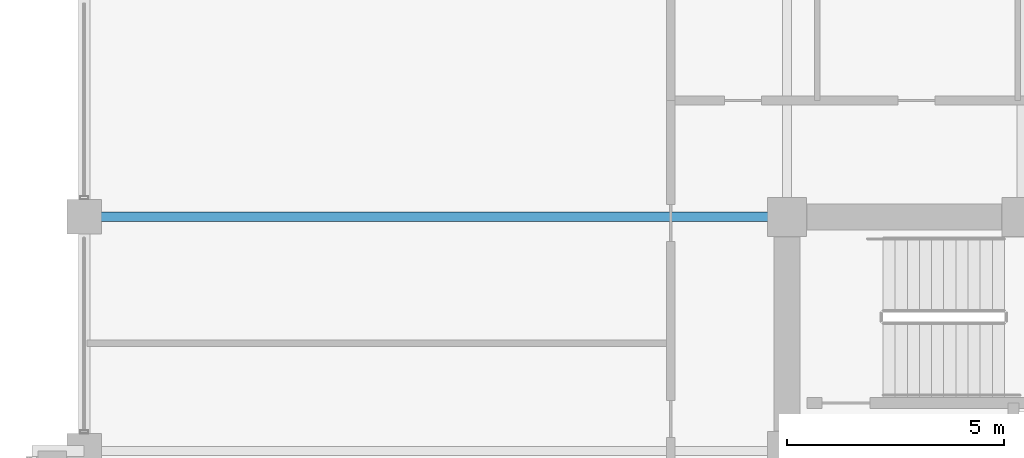
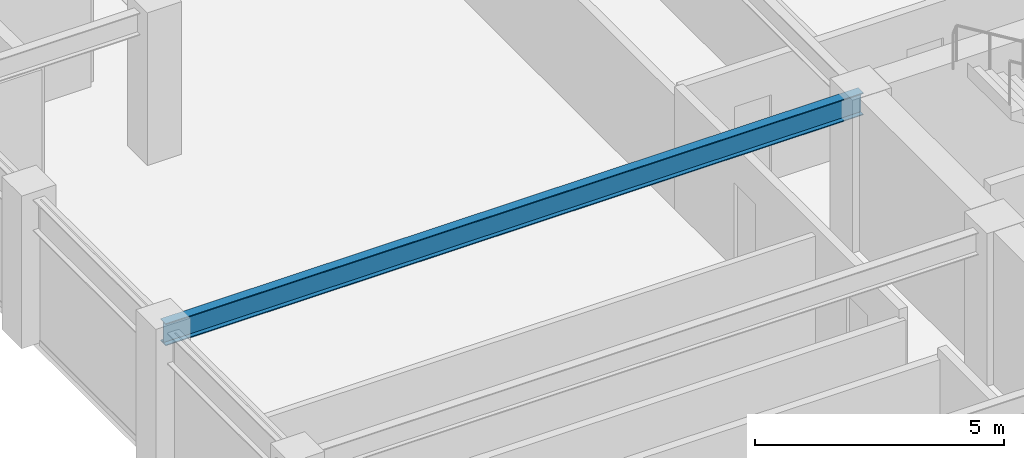
# One storey, part 15 of 30: 1 beam.
"""IFC4 building model written with IfcOpenShell, lengths in metres."""

from ifc_helpers import new_model, si_unit, direction, frame, origin, origin_2d, place, context, subcontext, project, spatial, i_section, extrude, material, material_profile, profile_set, type_object, element, save


model = new_model("IFC4")

# Units and contexts
model_context = context("Model", 3, precision=1e-05, world=origin(), true_north=direction((0.0, 1.0)))
body_context = subcontext(model_context, "Body", "Model", "MODEL_VIEW")
ifc_project = project(units=[si_unit("LENGTHUNIT", "METRE"), si_unit("AREAUNIT", "SQUARE_METRE"), si_unit("VOLUMEUNIT", "CUBIC_METRE"), si_unit("PLANEANGLEUNIT", "RADIAN"), si_unit("MASSUNIT", "GRAM", prefix="KILO")], contexts=[model_context])

# Site, building, storey
site_placement = place(None, origin())
site = spatial("IfcSite", under=ifc_project, at=site_placement, CompositionType="ELEMENT")
building_placement = place(site_placement, origin())
building = spatial("IfcBuilding", under=site, at=building_placement, Name="Surkhivell Harbour Commons", CompositionType="ELEMENT")
storey_placement = place(building_placement, frame((0.0, 0.0, 227.25)))
storey = spatial("IfcBuildingStorey", under=building, at=storey_placement, Name="L59", CompositionType="ELEMENT", Elevation=227.25)

# Beam
ifc_material = material(Name="Steel S355", Category="steel")
ifc_material_profile = material_profile(ifc_material, i_section(OverallWidth=0.2119140625, OverallDepth=0.5439453125, WebThickness=0.0126953125, FlangeThickness=0.021240234375, at=origin_2d()), Name="UB533x210x122")
ifc_profile_set = profile_set([ifc_material_profile], Name="Steel S355")
beam_type = type_object("IfcBeamType", Name="BM-GRD-533A", PredefinedType="BEAM", material=ifc_profile_set)
beam_placement = place(storey_placement, frame((-27.0, 10.800048828125, 3.298095703125), z_axis=(1.0, 0.0, 0.0), x_axis=(0.0, 1.0, 0.0)))
element("IfcBeam", 1, at=beam_placement, inside=storey, type_object=beam_type, Name="L59 Floor Girder (-27.0,10.8)", PredefinedType="BEAM", context=body_context, shape_type="SweptSolid", body=[
    extrude(i_section(OverallWidth=0.2119140625, OverallDepth=0.5439453125, WebThickness=0.0126953125, FlangeThickness=0.021240234375, at=origin_2d()), origin(), (0.0, 0.0, 1.0), 16.199951171875),
])

save(model, "model.ifc")
